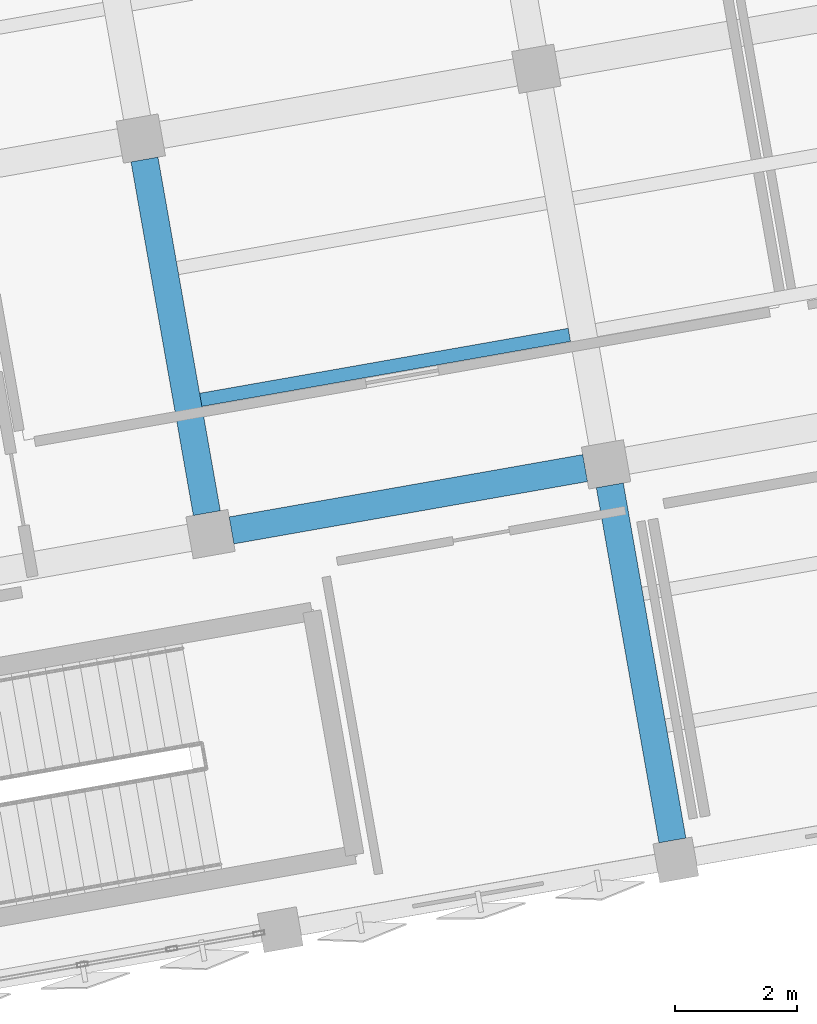
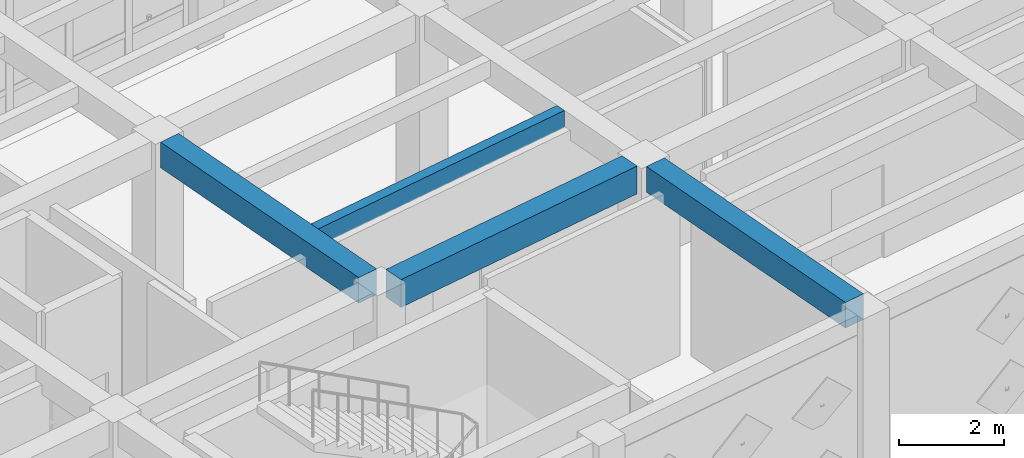
# One storey, part 6 of 39: 4 beams.
"""IFC4 building model written with IfcOpenShell, lengths in metres."""

from ifc_helpers import new_model, si_unit, direction, frame, origin, origin_2d, place, context, subcontext, project, spatial, rectangle, extrude, material, material_profile, profile_set, type_object, element, save


model = new_model("IFC4")

# Units and contexts
model_context = context("Model", 3, precision=1e-05, world=origin(), true_north=direction((0.0, 1.0)))
body_context = subcontext(model_context, "Body", "Model", "MODEL_VIEW")
ifc_project = project(units=[si_unit("LENGTHUNIT", "METRE"), si_unit("AREAUNIT", "SQUARE_METRE"), si_unit("VOLUMEUNIT", "CUBIC_METRE"), si_unit("PLANEANGLEUNIT", "RADIAN"), si_unit("MASSUNIT", "GRAM", prefix="KILO")], contexts=[model_context])

# Site, building, storey
site_placement = place(None, origin())
site = spatial("IfcSite", under=ifc_project, at=site_placement, CompositionType="ELEMENT")
building_placement = place(site_placement, origin())
building = spatial("IfcBuilding", under=site, at=building_placement, Name="Kharisveld Research Institute", CompositionType="ELEMENT")
storey_placement = place(building_placement, frame((0.0, 0.0, 18.60009765625)))
storey = spatial("IfcBuildingStorey", under=building, at=storey_placement, Name="L04", CompositionType="ELEMENT", Elevation=18.60009765625)

# Beams
ifc_material_1 = material(Name="Concrete C40/50", Category="concrete")
ifc_material_profile_1 = material_profile(ifc_material_1, rectangle(XDim=0.449951171875, YDim=0.60009765625, at=origin_2d()))
ifc_profile_set_1 = profile_set([ifc_material_profile_1], Name="Concrete C40/50")
beam_type_1 = type_object("IfcBeamType", Name="BM_RC_450x600", PredefinedType="BEAM", material=ifc_profile_set_1)
beam_1_placement = place(storey_placement, frame((23.492431640625, 45.292724609375, 4.02001953125), z_axis=(-0.173672023659, 0.984803548023, 0.0), x_axis=(-0.984803548023, -0.173672023659, 0.0)))
element("IfcBeam", 1, at=beam_1_placement, inside=storey, type_object=beam_type_1, Name="BM:V1:L04:V3_1", PredefinedType="BEAM", context=body_context, shape_type="SweptSolid", body=[
    extrude(rectangle(XDim=0.449951171875, YDim=0.60009765625, at=origin_2d()), origin(), (0.0, 0.0, 1.0), 5.89990234375),
])
beam_2_placement = place(storey_placement, frame((31.142578125, 39.914306640625, 4.02001953125), z_axis=(-0.173679554678, 0.984802219883, 0.0), x_axis=(-0.984802219883, -0.173679554678, 0.0)))
element("IfcBeam", 2, at=beam_2_placement, inside=storey, type_object=beam_type_1, Name="BM:V1:L04:V4_0", PredefinedType="BEAM", context=body_context, shape_type="SweptSolid", body=[
    extrude(rectangle(XDim=0.449951171875, YDim=0.60009765625, at=origin_2d()), origin(), (0.0, 0.0, 1.0), 5.925048828125),
])
ifc_material_2 = material(Name="Concrete C40/50", Category="concrete")
ifc_material_profile_2 = material_profile(ifc_material_2, rectangle(XDim=0.449951171875, YDim=0.64990234375, at=origin_2d()))
ifc_profile_set_2 = profile_set([ifc_material_profile_2], Name="Concrete C40/50")
beam_type_2 = type_object("IfcBeamType", Name="BM_RC_450x650", PredefinedType="BEAM", material=ifc_profile_set_2)
beam_3_placement = place(storey_placement, frame((23.897705078125, 45.0087890625, 3.994873046875), z_axis=(0.98481187206, 0.173624815763, 0.0), x_axis=(-0.173624815763, 0.98481187206, 0.0)))
element("IfcBeam", 3, at=beam_3_placement, inside=storey, type_object=beam_type_2, Name="BM:V1:L04:U3_1", PredefinedType="BEAM", context=body_context, shape_type="SweptSolid", body=[
    extrude(rectangle(XDim=0.449951171875, YDim=0.64990234375, at=origin_2d()), origin(), (0.0, 0.0, 1.0), 5.900146484375),
])
ifc_material_3 = material(Name="Concrete C40/50", Category="concrete")
ifc_material_profile_3 = material_profile(ifc_material_3, rectangle(XDim=0.219970703125, YDim=0.39990234375, at=origin_2d()))
ifc_profile_set_3 = profile_set([ifc_material_profile_3], Name="Concrete C40/50")
beam_type_3 = type_object("IfcBeamType", Name="WB_RC_220x400", PredefinedType="JOIST", material=ifc_profile_set_3)
beam_4_placement = place(storey_placement, frame((23.392578125, 47.153564453125, 4.119873046875), z_axis=(0.984809923515, 0.173635867682, 0.0), x_axis=(-0.173635867682, 0.984809923515, 0.0)))
element("IfcBeam", 4, at=beam_4_placement, inside=storey, type_object=beam_type_3, Name="BM:V1:L04:J_3_1_R1", PredefinedType="JOIST", context=body_context, shape_type="SweptSolid", body=[
    extrude(rectangle(XDim=0.219970703125, YDim=0.39990234375, at=origin_2d()), origin(), (0.0, 0.0, 1.0), 6.150146484375),
])

save(model, "model.ifc")
